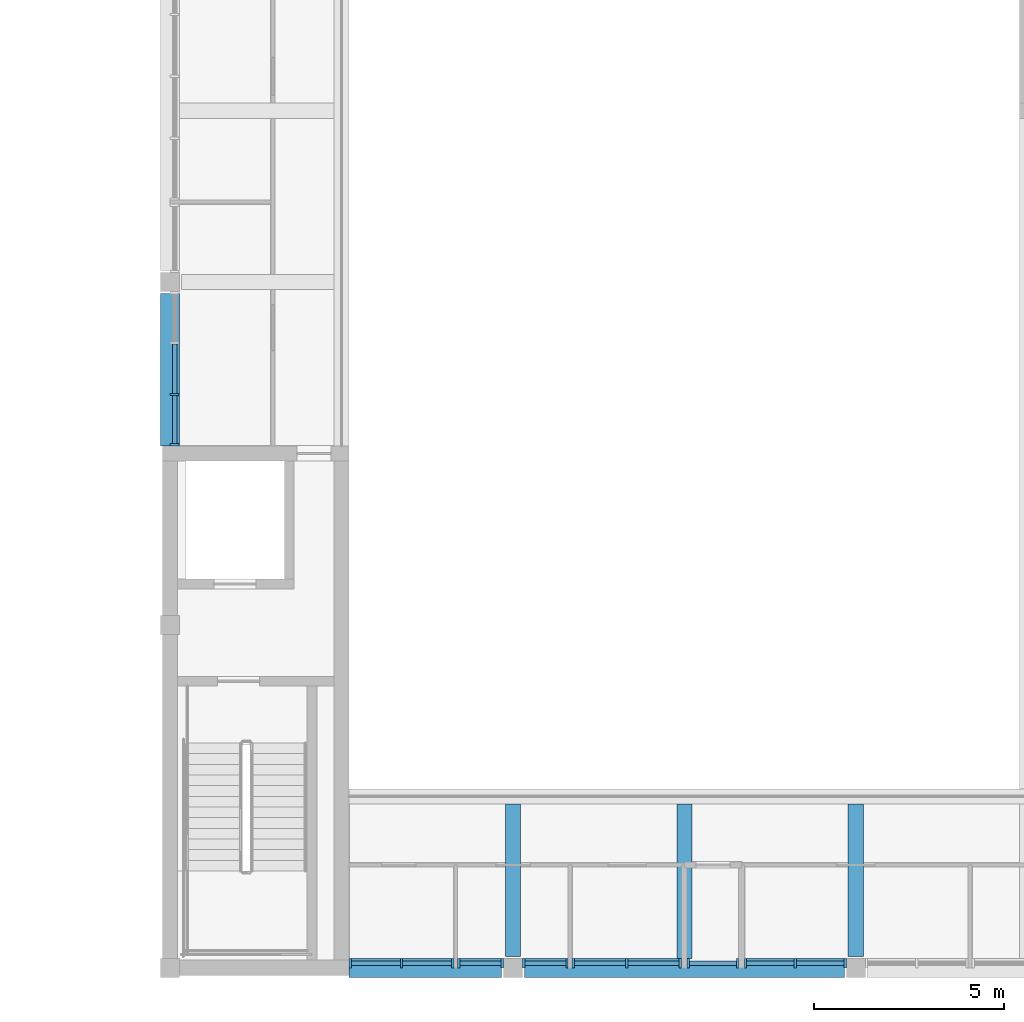
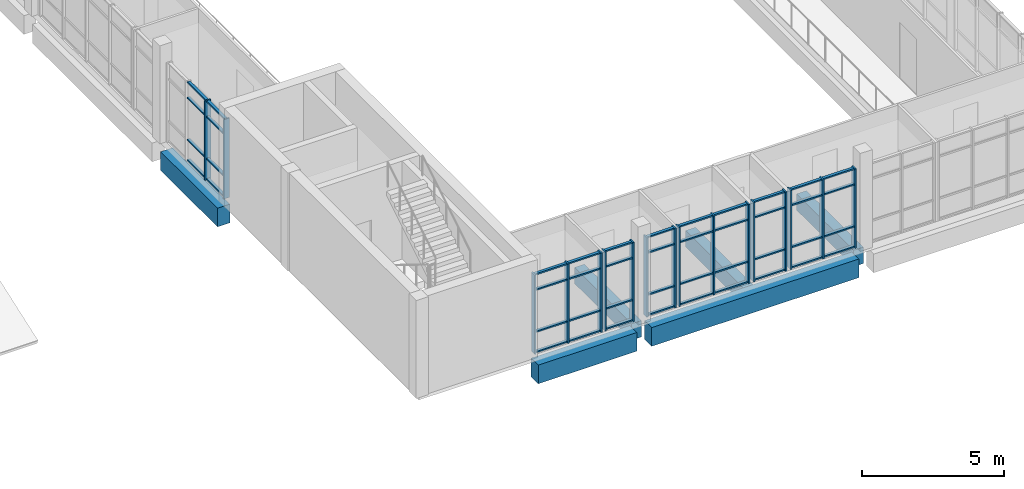
# One storey, part 6 of 74: 61 members, 6 beams, 7 elements without a shape of their own.
"""IFC4 building model written with IfcOpenShell, lengths in metres."""

from ifc_helpers import new_model, si_unit, direction, frame, origin, origin_2d, place, context, subcontext, project, spatial, rectangle, extrude, material, material_profile, profile_set, type_object, element, aggregate, save


model = new_model("IFC4")

# Units and contexts
model_context = context("Model", 3, precision=1e-05, world=origin(), true_north=direction((0.0, 1.0)))
body_context = subcontext(model_context, "Body", "Model", "MODEL_VIEW")
ifc_project = project(units=[si_unit("LENGTHUNIT", "METRE"), si_unit("AREAUNIT", "SQUARE_METRE"), si_unit("VOLUMEUNIT", "CUBIC_METRE"), si_unit("PLANEANGLEUNIT", "RADIAN"), si_unit("MASSUNIT", "GRAM", prefix="KILO")], contexts=[model_context])

# Site, building, storey
site_placement = place(None, origin())
site = spatial("IfcSite", under=ifc_project, at=site_placement, CompositionType="ELEMENT")
building_placement = place(site_placement, origin())
building = spatial("IfcBuilding", under=site, at=building_placement, Name="Merrow Basin Faculty of Sciences", CompositionType="ELEMENT")
storey_placement = place(building_placement, frame((0.0, 0.0, 13.5)))
storey = spatial("IfcBuildingStorey", under=building, at=storey_placement, Name="L03", CompositionType="ELEMENT", Elevation=13.5)

# Curtain wall, members
ifc_material_1 = material(Name="Aluminium alloy 6063", Category="aluminium")
curtain_wall_type = type_object("IfcCurtainWallType", Name="Atrium unitised curtain wall 240", PredefinedType="NOTDEFINED", material=ifc_material_1)
curtain_wall_1_placement = place(storey_placement, origin())
curtain_wall_1 = element("IfcCurtainWall", 1, at=curtain_wall_1_placement, inside=storey, type_object=curtain_wall_type, Name="W curtain wall L03 1", PredefinedType="NOTDEFINED")
ifc_material_2 = material(Name="Aluminium alloy 6063", Category="aluminium")
ifc_material_profile_1 = material_profile(ifc_material_2, rectangle(XDim=0.239990234375, YDim=0.06005859375, at=origin_2d()))
ifc_profile_set_1 = profile_set([ifc_material_profile_1], Name="Aluminium alloy 6063")
member_type_1 = type_object("IfcMemberType", Name="Aluminium mullion 60x240", PredefinedType="MULLION", material=ifc_profile_set_1)
member_1_placement = place(storey_placement, frame((45.1201171875, 13.72998046875, 0.0), z_axis=(0.0, 0.0, 1.0), x_axis=(-1.0, 0.0, 0.0)))
member_1 = element("IfcMember", 2, at=member_1_placement, type_object=member_type_1, Name="CW5 mullion 1", PredefinedType="MULLION", context=body_context, shape_type="SweptSolid", body=[
    extrude(rectangle(XDim=0.239990234375, YDim=0.06005859375, at=origin_2d()), origin(), (0.0, 0.0, 1.0), 3.39990234375),
])
member_2_placement = place(storey_placement, frame((45.1201171875, 15.050048828125, 0.0), z_axis=(0.0, 0.0, 1.0), x_axis=(-1.0, 0.0, 0.0)))
member_2 = element("IfcMember", 3, at=member_2_placement, type_object=member_type_1, Name="CW5 mullion 2", PredefinedType="MULLION", context=body_context, shape_type="SweptSolid", body=[
    extrude(rectangle(XDim=0.239990234375, YDim=0.06005859375, at=origin_2d()), origin(), (0.0, 0.0, 1.0), 3.39990234375),
])

curtain_wall_2_placement = place(storey_placement, origin())
curtain_wall_2 = element("IfcCurtainWall", 4, at=curtain_wall_2_placement, inside=storey, type_object=curtain_wall_type, Name="S curtain wall L03 1", PredefinedType="NOTDEFINED")
member_3_placement = place(storey_placement, frame((49.72998046875, 0.1201171875, 0.0), z_axis=(0.0, 0.0, 1.0), x_axis=(0.0, 1.0, 0.0)))
member_3 = element("IfcMember", 5, at=member_3_placement, type_object=member_type_1, Name="CW5 mullion 1", PredefinedType="MULLION", context=body_context, shape_type="SweptSolid", body=[
    extrude(rectangle(XDim=0.239990234375, YDim=0.06005859375, at=origin_2d()), origin(), (0.0, 0.0, 1.0), 3.39990234375),
])
member_4_placement = place(storey_placement, frame((51.074951171875, 0.1201171875, 0.0), z_axis=(0.0, 0.0, 1.0), x_axis=(0.0, 1.0, 0.0)))
member_4 = element("IfcMember", 6, at=member_4_placement, type_object=member_type_1, Name="CW5 mullion 2", PredefinedType="MULLION", context=body_context, shape_type="SweptSolid", body=[
    extrude(rectangle(XDim=0.239990234375, YDim=0.06005859375, at=origin_2d()), origin(), (0.0, 0.0, 1.0), 3.39990234375),
])
member_5_placement = place(storey_placement, frame((52.419921875, 0.1201171875, 0.0), z_axis=(0.0, 0.0, 1.0), x_axis=(0.0, 1.0, 0.0)))
member_5 = element("IfcMember", 7, at=member_5_placement, type_object=member_type_1, Name="CW5 mullion 3", PredefinedType="MULLION", context=body_context, shape_type="SweptSolid", body=[
    extrude(rectangle(XDim=0.239990234375, YDim=0.06005859375, at=origin_2d()), origin(), (0.0, 0.0, 1.0), 3.39990234375),
])

curtain_wall_3_placement = place(storey_placement, origin())
curtain_wall_3 = element("IfcCurtainWall", 8, at=curtain_wall_3_placement, inside=storey, type_object=curtain_wall_type, Name="S curtain wall L03 2", PredefinedType="NOTDEFINED")
member_6_placement = place(storey_placement, frame((52.580078125, 0.1201171875, 0.0), z_axis=(0.0, 0.0, 1.0), x_axis=(0.0, 1.0, 0.0)))
member_6 = element("IfcMember", 9, at=member_6_placement, type_object=member_type_1, Name="CW5 mullion 1", PredefinedType="MULLION", context=body_context, shape_type="SweptSolid", body=[
    extrude(rectangle(XDim=0.239990234375, YDim=0.06005859375, at=origin_2d()), origin(), (0.0, 0.0, 1.0), 3.39990234375),
])
member_7_placement = place(storey_placement, frame((53.719970703125, 0.1201171875, 0.0), z_axis=(0.0, 0.0, 1.0), x_axis=(0.0, 1.0, 0.0)))
member_7 = element("IfcMember", 10, at=member_7_placement, type_object=member_type_1, Name="CW5 mullion 2", PredefinedType="MULLION", context=body_context, shape_type="SweptSolid", body=[
    extrude(rectangle(XDim=0.239990234375, YDim=0.06005859375, at=origin_2d()), origin(), (0.0, 0.0, 1.0), 3.39990234375),
])

curtain_wall_4_placement = place(storey_placement, origin())
curtain_wall_4 = element("IfcCurtainWall", 11, at=curtain_wall_4_placement, inside=storey, type_object=curtain_wall_type, Name="S curtain wall L03 3", PredefinedType="NOTDEFINED")
member_8_placement = place(storey_placement, frame((54.280029296875, 0.1201171875, 0.0), z_axis=(0.0, 0.0, 1.0), x_axis=(0.0, 1.0, 0.0)))
member_8 = element("IfcMember", 12, at=member_8_placement, type_object=member_type_1, Name="CW5 mullion 1", PredefinedType="MULLION", context=body_context, shape_type="SweptSolid", body=[
    extrude(rectangle(XDim=0.239990234375, YDim=0.06005859375, at=origin_2d()), origin(), (0.0, 0.0, 1.0), 3.39990234375),
])
member_9_placement = place(storey_placement, frame((55.419921875, 0.1201171875, 0.0), z_axis=(0.0, 0.0, 1.0), x_axis=(0.0, 1.0, 0.0)))
member_9 = element("IfcMember", 13, at=member_9_placement, type_object=member_type_1, Name="CW5 mullion 2", PredefinedType="MULLION", context=body_context, shape_type="SweptSolid", body=[
    extrude(rectangle(XDim=0.239990234375, YDim=0.06005859375, at=origin_2d()), origin(), (0.0, 0.0, 1.0), 3.39990234375),
])

curtain_wall_5_placement = place(storey_placement, origin())
curtain_wall_5 = element("IfcCurtainWall", 14, at=curtain_wall_5_placement, inside=storey, type_object=curtain_wall_type, Name="S curtain wall L03 4", PredefinedType="NOTDEFINED")
member_10_placement = place(storey_placement, frame((55.580078125, 0.1201171875, 0.0), z_axis=(0.0, 0.0, 1.0), x_axis=(0.0, 1.0, 0.0)))
member_10 = element("IfcMember", 15, at=member_10_placement, type_object=member_type_1, Name="CW5 mullion 1", PredefinedType="MULLION", context=body_context, shape_type="SweptSolid", body=[
    extrude(rectangle(XDim=0.239990234375, YDim=0.06005859375, at=origin_2d()), origin(), (0.0, 0.0, 1.0), 3.39990234375),
])
member_11_placement = place(storey_placement, frame((56.987548828125, 0.1201171875, 0.0), z_axis=(0.0, 0.0, 1.0), x_axis=(0.0, 1.0, 0.0)))
member_11 = element("IfcMember", 16, at=member_11_placement, type_object=member_type_1, Name="CW5 mullion 2", PredefinedType="MULLION", context=body_context, shape_type="SweptSolid", body=[
    extrude(rectangle(XDim=0.239990234375, YDim=0.06005859375, at=origin_2d()), origin(), (0.0, 0.0, 1.0), 3.39990234375),
])
member_12_placement = place(storey_placement, frame((58.39501953125, 0.1201171875, 0.0), z_axis=(0.0, 0.0, 1.0), x_axis=(0.0, 1.0, 0.0)))
member_12 = element("IfcMember", 17, at=member_12_placement, type_object=member_type_1, Name="CW5 mullion 3", PredefinedType="MULLION", context=body_context, shape_type="SweptSolid", body=[
    extrude(rectangle(XDim=0.239990234375, YDim=0.06005859375, at=origin_2d()), origin(), (0.0, 0.0, 1.0), 3.39990234375),
])

curtain_wall_6_placement = place(storey_placement, origin())
curtain_wall_6 = element("IfcCurtainWall", 18, at=curtain_wall_6_placement, inside=storey, type_object=curtain_wall_type, Name="S curtain wall L03 5", PredefinedType="NOTDEFINED")
member_13_placement = place(storey_placement, frame((58.60498046875, 0.1201171875, 0.0), z_axis=(0.0, 0.0, 1.0), x_axis=(0.0, 1.0, 0.0)))
member_13 = element("IfcMember", 19, at=member_13_placement, type_object=member_type_1, Name="CW5 mullion 1", PredefinedType="MULLION", context=body_context, shape_type="SweptSolid", body=[
    extrude(rectangle(XDim=0.239990234375, YDim=0.06005859375, at=origin_2d()), origin(), (0.0, 0.0, 1.0), 3.39990234375),
])
member_14_placement = place(storey_placement, frame((59.89501953125, 0.1201171875, 0.0), z_axis=(0.0, 0.0, 1.0), x_axis=(0.0, 1.0, 0.0)))
member_14 = element("IfcMember", 20, at=member_14_placement, type_object=member_type_1, Name="CW5 mullion 2", PredefinedType="MULLION", context=body_context, shape_type="SweptSolid", body=[
    extrude(rectangle(XDim=0.239990234375, YDim=0.06005859375, at=origin_2d()), origin(), (0.0, 0.0, 1.0), 3.39990234375),
])

curtain_wall_7_placement = place(storey_placement, origin())
curtain_wall_7 = element("IfcCurtainWall", 21, at=curtain_wall_7_placement, inside=storey, type_object=curtain_wall_type, Name="S curtain wall L03 6", PredefinedType="NOTDEFINED")
member_15_placement = place(storey_placement, frame((60.10498046875, 0.1201171875, 0.0), z_axis=(0.0, 0.0, 1.0), x_axis=(0.0, 1.0, 0.0)))
member_15 = element("IfcMember", 22, at=member_15_placement, type_object=member_type_1, Name="CW5 mullion 1", PredefinedType="MULLION", context=body_context, shape_type="SweptSolid", body=[
    extrude(rectangle(XDim=0.239990234375, YDim=0.06005859375, at=origin_2d()), origin(), (0.0, 0.0, 1.0), 3.39990234375),
])
member_16_placement = place(storey_placement, frame((61.41259765625, 0.1201171875, 0.0), z_axis=(0.0, 0.0, 1.0), x_axis=(0.0, 1.0, 0.0)))
member_16 = element("IfcMember", 23, at=member_16_placement, type_object=member_type_1, Name="CW5 mullion 2", PredefinedType="MULLION", context=body_context, shape_type="SweptSolid", body=[
    extrude(rectangle(XDim=0.239990234375, YDim=0.06005859375, at=origin_2d()), origin(), (0.0, 0.0, 1.0), 3.39990234375),
])
member_17_placement = place(storey_placement, frame((62.719970703125, 0.1201171875, 0.0), z_axis=(0.0, 0.0, 1.0), x_axis=(0.0, 1.0, 0.0)))
member_17 = element("IfcMember", 24, at=member_17_placement, type_object=member_type_1, Name="CW5 mullion 3", PredefinedType="MULLION", context=body_context, shape_type="SweptSolid", body=[
    extrude(rectangle(XDim=0.239990234375, YDim=0.06005859375, at=origin_2d()), origin(), (0.0, 0.0, 1.0), 3.39990234375),
])

# Member
ifc_material_3 = material(Name="Aluminium alloy 6063", Category="aluminium")
ifc_material_profile_2 = material_profile(ifc_material_3, rectangle(XDim=0.1201171875, YDim=0.06005859375, at=origin_2d()))
ifc_profile_set_2 = profile_set([ifc_material_profile_2], Name="Aluminium alloy 6063")
member_type_2 = type_object("IfcMemberType", Name="Aluminium transom 60x120", PredefinedType="USERDEFINED", material=ifc_profile_set_2)
member_18_placement = place(storey_placement, frame((45.1201171875, 13.760009765625, 0.030029296875), z_axis=(0.0, 1.0, 0.0), x_axis=(-1.0, 0.0, 0.0)))
member_18 = element("IfcMember", 25, at=member_18_placement, type_object=member_type_2, Name="CW5 transom 1.1", ObjectType="TRANSOM", PredefinedType="USERDEFINED", context=body_context, shape_type="SweptSolid", body=[
    extrude(rectangle(XDim=0.1201171875, YDim=0.06005859375, at=origin_2d()), origin(), (0.0, 0.0, 1.0), 1.260009765625),
])

member_19_placement = place(storey_placement, frame((45.1201171875, 13.760009765625, 0.89990234375), z_axis=(0.0, 1.0, 0.0), x_axis=(-1.0, 0.0, 0.0)))
member_19 = element("IfcMember", 26, at=member_19_placement, type_object=member_type_2, Name="CW5 transom 1.2", ObjectType="TRANSOM", PredefinedType="USERDEFINED", context=body_context, shape_type="SweptSolid", body=[
    extrude(rectangle(XDim=0.1201171875, YDim=0.06005859375, at=origin_2d()), origin(), (0.0, 0.0, 1.0), 1.260009765625),
])

member_20_placement = place(storey_placement, frame((45.1201171875, 13.760009765625, 2.699951171875), z_axis=(0.0, 1.0, 0.0), x_axis=(-1.0, 0.0, 0.0)))
member_20 = element("IfcMember", 27, at=member_20_placement, type_object=member_type_2, Name="CW5 transom 1.3", ObjectType="TRANSOM", PredefinedType="USERDEFINED", context=body_context, shape_type="SweptSolid", body=[
    extrude(rectangle(XDim=0.1201171875, YDim=0.06005859375, at=origin_2d()), origin(), (0.0, 0.0, 1.0), 1.260009765625),
])

member_21_placement = place(storey_placement, frame((45.1201171875, 13.760009765625, 3.3701171875), z_axis=(0.0, 1.0, 0.0), x_axis=(-1.0, 0.0, 0.0)))
member_21 = element("IfcMember", 28, at=member_21_placement, type_object=member_type_2, Name="CW5 transom 1.4", ObjectType="TRANSOM", PredefinedType="USERDEFINED", context=body_context, shape_type="SweptSolid", body=[
    extrude(rectangle(XDim=0.1201171875, YDim=0.06005859375, at=origin_2d()), origin(), (0.0, 0.0, 1.0), 1.260009765625),
])

member_22_placement = place(storey_placement, frame((45.1201171875, 15.080078125, 0.030029296875), z_axis=(0.0, 1.0, 0.0), x_axis=(-1.0, 0.0, 0.0)))
member_22 = element("IfcMember", 29, at=member_22_placement, type_object=member_type_2, Name="CW5 transom 2.1", ObjectType="TRANSOM", PredefinedType="USERDEFINED", context=body_context, shape_type="SweptSolid", body=[
    extrude(rectangle(XDim=0.1201171875, YDim=0.06005859375, at=origin_2d()), origin(), (0.0, 0.0, 1.0), 1.2900390625),
])

member_23_placement = place(storey_placement, frame((45.1201171875, 15.080078125, 0.89990234375), z_axis=(0.0, 1.0, 0.0), x_axis=(-1.0, 0.0, 0.0)))
member_23 = element("IfcMember", 30, at=member_23_placement, type_object=member_type_2, Name="CW5 transom 2.2", ObjectType="TRANSOM", PredefinedType="USERDEFINED", context=body_context, shape_type="SweptSolid", body=[
    extrude(rectangle(XDim=0.1201171875, YDim=0.06005859375, at=origin_2d()), origin(), (0.0, 0.0, 1.0), 1.2900390625),
])

member_24_placement = place(storey_placement, frame((45.1201171875, 15.080078125, 2.699951171875), z_axis=(0.0, 1.0, 0.0), x_axis=(-1.0, 0.0, 0.0)))
member_24 = element("IfcMember", 31, at=member_24_placement, type_object=member_type_2, Name="CW5 transom 2.3", ObjectType="TRANSOM", PredefinedType="USERDEFINED", context=body_context, shape_type="SweptSolid", body=[
    extrude(rectangle(XDim=0.1201171875, YDim=0.06005859375, at=origin_2d()), origin(), (0.0, 0.0, 1.0), 1.2900390625),
])

member_25_placement = place(storey_placement, frame((45.1201171875, 15.080078125, 3.3701171875), z_axis=(0.0, 1.0, 0.0), x_axis=(-1.0, 0.0, 0.0)))
member_25 = element("IfcMember", 32, at=member_25_placement, type_object=member_type_2, Name="CW5 transom 2.4", ObjectType="TRANSOM", PredefinedType="USERDEFINED", context=body_context, shape_type="SweptSolid", body=[
    extrude(rectangle(XDim=0.1201171875, YDim=0.06005859375, at=origin_2d()), origin(), (0.0, 0.0, 1.0), 1.2900390625),
])

aggregate(curtain_wall_1, [member_1, member_2, member_18, member_19, member_20, member_21, member_22, member_23, member_24, member_25])

member_26_placement = place(storey_placement, frame((49.760009765625, 0.1201171875, 0.030029296875), z_axis=(1.0, 0.0, 0.0), x_axis=(0.0, 1.0, 0.0)))
member_26 = element("IfcMember", 33, at=member_26_placement, type_object=member_type_2, Name="CW5 transom 1.1", ObjectType="TRANSOM", PredefinedType="USERDEFINED", context=body_context, shape_type="SweptSolid", body=[
    extrude(rectangle(XDim=0.1201171875, YDim=0.06005859375, at=origin_2d()), origin(), (0.0, 0.0, 1.0), 1.284912109375),
])

member_27_placement = place(storey_placement, frame((49.760009765625, 0.1201171875, 0.89990234375), z_axis=(1.0, 0.0, 0.0), x_axis=(0.0, 1.0, 0.0)))
member_27 = element("IfcMember", 34, at=member_27_placement, type_object=member_type_2, Name="CW5 transom 1.2", ObjectType="TRANSOM", PredefinedType="USERDEFINED", context=body_context, shape_type="SweptSolid", body=[
    extrude(rectangle(XDim=0.1201171875, YDim=0.06005859375, at=origin_2d()), origin(), (0.0, 0.0, 1.0), 1.284912109375),
])

member_28_placement = place(storey_placement, frame((49.760009765625, 0.1201171875, 2.699951171875), z_axis=(1.0, 0.0, 0.0), x_axis=(0.0, 1.0, 0.0)))
member_28 = element("IfcMember", 35, at=member_28_placement, type_object=member_type_2, Name="CW5 transom 1.3", ObjectType="TRANSOM", PredefinedType="USERDEFINED", context=body_context, shape_type="SweptSolid", body=[
    extrude(rectangle(XDim=0.1201171875, YDim=0.06005859375, at=origin_2d()), origin(), (0.0, 0.0, 1.0), 1.284912109375),
])

member_29_placement = place(storey_placement, frame((49.760009765625, 0.1201171875, 3.3701171875), z_axis=(1.0, 0.0, 0.0), x_axis=(0.0, 1.0, 0.0)))
member_29 = element("IfcMember", 36, at=member_29_placement, type_object=member_type_2, Name="CW5 transom 1.4", ObjectType="TRANSOM", PredefinedType="USERDEFINED", context=body_context, shape_type="SweptSolid", body=[
    extrude(rectangle(XDim=0.1201171875, YDim=0.06005859375, at=origin_2d()), origin(), (0.0, 0.0, 1.0), 1.284912109375),
])

member_30_placement = place(storey_placement, frame((51.10498046875, 0.1201171875, 0.030029296875), z_axis=(1.0, 0.0, 0.0), x_axis=(0.0, 1.0, 0.0)))
member_30 = element("IfcMember", 37, at=member_30_placement, type_object=member_type_2, Name="CW5 transom 2.1", ObjectType="TRANSOM", PredefinedType="USERDEFINED", context=body_context, shape_type="SweptSolid", body=[
    extrude(rectangle(XDim=0.1201171875, YDim=0.06005859375, at=origin_2d()), origin(), (0.0, 0.0, 1.0), 1.284912109375),
])

member_31_placement = place(storey_placement, frame((51.10498046875, 0.1201171875, 0.89990234375), z_axis=(1.0, 0.0, 0.0), x_axis=(0.0, 1.0, 0.0)))
member_31 = element("IfcMember", 38, at=member_31_placement, type_object=member_type_2, Name="CW5 transom 2.2", ObjectType="TRANSOM", PredefinedType="USERDEFINED", context=body_context, shape_type="SweptSolid", body=[
    extrude(rectangle(XDim=0.1201171875, YDim=0.06005859375, at=origin_2d()), origin(), (0.0, 0.0, 1.0), 1.284912109375),
])

member_32_placement = place(storey_placement, frame((51.10498046875, 0.1201171875, 2.699951171875), z_axis=(1.0, 0.0, 0.0), x_axis=(0.0, 1.0, 0.0)))
member_32 = element("IfcMember", 39, at=member_32_placement, type_object=member_type_2, Name="CW5 transom 2.3", ObjectType="TRANSOM", PredefinedType="USERDEFINED", context=body_context, shape_type="SweptSolid", body=[
    extrude(rectangle(XDim=0.1201171875, YDim=0.06005859375, at=origin_2d()), origin(), (0.0, 0.0, 1.0), 1.284912109375),
])

member_33_placement = place(storey_placement, frame((51.10498046875, 0.1201171875, 3.3701171875), z_axis=(1.0, 0.0, 0.0), x_axis=(0.0, 1.0, 0.0)))
member_33 = element("IfcMember", 40, at=member_33_placement, type_object=member_type_2, Name="CW5 transom 2.4", ObjectType="TRANSOM", PredefinedType="USERDEFINED", context=body_context, shape_type="SweptSolid", body=[
    extrude(rectangle(XDim=0.1201171875, YDim=0.06005859375, at=origin_2d()), origin(), (0.0, 0.0, 1.0), 1.284912109375),
])

aggregate(curtain_wall_2, [member_3, member_4, member_5, member_26, member_27, member_28, member_29, member_30, member_31, member_32, member_33])

member_34_placement = place(storey_placement, frame((52.610107421875, 0.1201171875, 0.030029296875), z_axis=(1.0, 0.0, 0.0), x_axis=(0.0, 1.0, 0.0)))
member_34 = element("IfcMember", 41, at=member_34_placement, type_object=member_type_2, Name="CW5 transom 1.1", ObjectType="TRANSOM", PredefinedType="USERDEFINED", context=body_context, shape_type="SweptSolid", body=[
    extrude(rectangle(XDim=0.1201171875, YDim=0.06005859375, at=origin_2d()), origin(), (0.0, 0.0, 1.0), 1.079833984375),
])

member_35_placement = place(storey_placement, frame((52.610107421875, 0.1201171875, 0.89990234375), z_axis=(1.0, 0.0, 0.0), x_axis=(0.0, 1.0, 0.0)))
member_35 = element("IfcMember", 42, at=member_35_placement, type_object=member_type_2, Name="CW5 transom 1.2", ObjectType="TRANSOM", PredefinedType="USERDEFINED", context=body_context, shape_type="SweptSolid", body=[
    extrude(rectangle(XDim=0.1201171875, YDim=0.06005859375, at=origin_2d()), origin(), (0.0, 0.0, 1.0), 1.079833984375),
])

member_36_placement = place(storey_placement, frame((52.610107421875, 0.1201171875, 2.699951171875), z_axis=(1.0, 0.0, 0.0), x_axis=(0.0, 1.0, 0.0)))
member_36 = element("IfcMember", 43, at=member_36_placement, type_object=member_type_2, Name="CW5 transom 1.3", ObjectType="TRANSOM", PredefinedType="USERDEFINED", context=body_context, shape_type="SweptSolid", body=[
    extrude(rectangle(XDim=0.1201171875, YDim=0.06005859375, at=origin_2d()), origin(), (0.0, 0.0, 1.0), 1.079833984375),
])

member_37_placement = place(storey_placement, frame((52.610107421875, 0.1201171875, 3.3701171875), z_axis=(1.0, 0.0, 0.0), x_axis=(0.0, 1.0, 0.0)))
member_37 = element("IfcMember", 44, at=member_37_placement, type_object=member_type_2, Name="CW5 transom 1.4", ObjectType="TRANSOM", PredefinedType="USERDEFINED", context=body_context, shape_type="SweptSolid", body=[
    extrude(rectangle(XDim=0.1201171875, YDim=0.06005859375, at=origin_2d()), origin(), (0.0, 0.0, 1.0), 1.079833984375),
])

aggregate(curtain_wall_3, [member_6, member_7, member_34, member_35, member_36, member_37])

member_38_placement = place(storey_placement, frame((54.31005859375, 0.1201171875, 0.030029296875), z_axis=(1.0, 0.0, 0.0), x_axis=(0.0, 1.0, 0.0)))
member_38 = element("IfcMember", 45, at=member_38_placement, type_object=member_type_2, Name="CW5 transom 1.1", ObjectType="TRANSOM", PredefinedType="USERDEFINED", context=body_context, shape_type="SweptSolid", body=[
    extrude(rectangle(XDim=0.1201171875, YDim=0.06005859375, at=origin_2d()), origin(), (0.0, 0.0, 1.0), 1.079833984375),
])

member_39_placement = place(storey_placement, frame((54.31005859375, 0.1201171875, 0.89990234375), z_axis=(1.0, 0.0, 0.0), x_axis=(0.0, 1.0, 0.0)))
member_39 = element("IfcMember", 46, at=member_39_placement, type_object=member_type_2, Name="CW5 transom 1.2", ObjectType="TRANSOM", PredefinedType="USERDEFINED", context=body_context, shape_type="SweptSolid", body=[
    extrude(rectangle(XDim=0.1201171875, YDim=0.06005859375, at=origin_2d()), origin(), (0.0, 0.0, 1.0), 1.079833984375),
])

member_40_placement = place(storey_placement, frame((54.31005859375, 0.1201171875, 2.699951171875), z_axis=(1.0, 0.0, 0.0), x_axis=(0.0, 1.0, 0.0)))
member_40 = element("IfcMember", 47, at=member_40_placement, type_object=member_type_2, Name="CW5 transom 1.3", ObjectType="TRANSOM", PredefinedType="USERDEFINED", context=body_context, shape_type="SweptSolid", body=[
    extrude(rectangle(XDim=0.1201171875, YDim=0.06005859375, at=origin_2d()), origin(), (0.0, 0.0, 1.0), 1.079833984375),
])

member_41_placement = place(storey_placement, frame((54.31005859375, 0.1201171875, 3.3701171875), z_axis=(1.0, 0.0, 0.0), x_axis=(0.0, 1.0, 0.0)))
member_41 = element("IfcMember", 48, at=member_41_placement, type_object=member_type_2, Name="CW5 transom 1.4", ObjectType="TRANSOM", PredefinedType="USERDEFINED", context=body_context, shape_type="SweptSolid", body=[
    extrude(rectangle(XDim=0.1201171875, YDim=0.06005859375, at=origin_2d()), origin(), (0.0, 0.0, 1.0), 1.079833984375),
])

aggregate(curtain_wall_4, [member_8, member_9, member_38, member_39, member_40, member_41])

member_42_placement = place(storey_placement, frame((55.610107421875, 0.1201171875, 0.030029296875), z_axis=(1.0, 0.0, 0.0), x_axis=(0.0, 1.0, 0.0)))
member_42 = element("IfcMember", 49, at=member_42_placement, type_object=member_type_2, Name="CW5 transom 1.1", ObjectType="TRANSOM", PredefinedType="USERDEFINED", context=body_context, shape_type="SweptSolid", body=[
    extrude(rectangle(XDim=0.1201171875, YDim=0.06005859375, at=origin_2d()), origin(), (0.0, 0.0, 1.0), 1.347412109375),
])

member_43_placement = place(storey_placement, frame((55.610107421875, 0.1201171875, 0.89990234375), z_axis=(1.0, 0.0, 0.0), x_axis=(0.0, 1.0, 0.0)))
member_43 = element("IfcMember", 50, at=member_43_placement, type_object=member_type_2, Name="CW5 transom 1.2", ObjectType="TRANSOM", PredefinedType="USERDEFINED", context=body_context, shape_type="SweptSolid", body=[
    extrude(rectangle(XDim=0.1201171875, YDim=0.06005859375, at=origin_2d()), origin(), (0.0, 0.0, 1.0), 1.347412109375),
])

member_44_placement = place(storey_placement, frame((55.610107421875, 0.1201171875, 2.699951171875), z_axis=(1.0, 0.0, 0.0), x_axis=(0.0, 1.0, 0.0)))
member_44 = element("IfcMember", 51, at=member_44_placement, type_object=member_type_2, Name="CW5 transom 1.3", ObjectType="TRANSOM", PredefinedType="USERDEFINED", context=body_context, shape_type="SweptSolid", body=[
    extrude(rectangle(XDim=0.1201171875, YDim=0.06005859375, at=origin_2d()), origin(), (0.0, 0.0, 1.0), 1.347412109375),
])

member_45_placement = place(storey_placement, frame((55.610107421875, 0.1201171875, 3.3701171875), z_axis=(1.0, 0.0, 0.0), x_axis=(0.0, 1.0, 0.0)))
member_45 = element("IfcMember", 52, at=member_45_placement, type_object=member_type_2, Name="CW5 transom 1.4", ObjectType="TRANSOM", PredefinedType="USERDEFINED", context=body_context, shape_type="SweptSolid", body=[
    extrude(rectangle(XDim=0.1201171875, YDim=0.06005859375, at=origin_2d()), origin(), (0.0, 0.0, 1.0), 1.347412109375),
])

member_46_placement = place(storey_placement, frame((57.017578125, 0.1201171875, 0.030029296875), z_axis=(1.0, 0.0, 0.0), x_axis=(0.0, 1.0, 0.0)))
member_46 = element("IfcMember", 53, at=member_46_placement, type_object=member_type_2, Name="CW5 transom 2.1", ObjectType="TRANSOM", PredefinedType="USERDEFINED", context=body_context, shape_type="SweptSolid", body=[
    extrude(rectangle(XDim=0.1201171875, YDim=0.06005859375, at=origin_2d()), origin(), (0.0, 0.0, 1.0), 1.347412109375),
])

member_47_placement = place(storey_placement, frame((57.017578125, 0.1201171875, 0.89990234375), z_axis=(1.0, 0.0, 0.0), x_axis=(0.0, 1.0, 0.0)))
member_47 = element("IfcMember", 54, at=member_47_placement, type_object=member_type_2, Name="CW5 transom 2.2", ObjectType="TRANSOM", PredefinedType="USERDEFINED", context=body_context, shape_type="SweptSolid", body=[
    extrude(rectangle(XDim=0.1201171875, YDim=0.06005859375, at=origin_2d()), origin(), (0.0, 0.0, 1.0), 1.347412109375),
])

member_48_placement = place(storey_placement, frame((57.017578125, 0.1201171875, 2.699951171875), z_axis=(1.0, 0.0, 0.0), x_axis=(0.0, 1.0, 0.0)))
member_48 = element("IfcMember", 55, at=member_48_placement, type_object=member_type_2, Name="CW5 transom 2.3", ObjectType="TRANSOM", PredefinedType="USERDEFINED", context=body_context, shape_type="SweptSolid", body=[
    extrude(rectangle(XDim=0.1201171875, YDim=0.06005859375, at=origin_2d()), origin(), (0.0, 0.0, 1.0), 1.347412109375),
])

member_49_placement = place(storey_placement, frame((57.017578125, 0.1201171875, 3.3701171875), z_axis=(1.0, 0.0, 0.0), x_axis=(0.0, 1.0, 0.0)))
member_49 = element("IfcMember", 56, at=member_49_placement, type_object=member_type_2, Name="CW5 transom 2.4", ObjectType="TRANSOM", PredefinedType="USERDEFINED", context=body_context, shape_type="SweptSolid", body=[
    extrude(rectangle(XDim=0.1201171875, YDim=0.06005859375, at=origin_2d()), origin(), (0.0, 0.0, 1.0), 1.347412109375),
])

aggregate(curtain_wall_5, [member_10, member_11, member_12, member_42, member_43, member_44, member_45, member_46, member_47, member_48, member_49])

member_50_placement = place(storey_placement, frame((58.635009765625, 0.1201171875, 0.030029296875), z_axis=(1.0, 0.0, 0.0), x_axis=(0.0, 1.0, 0.0)))
member_50 = element("IfcMember", 57, at=member_50_placement, type_object=member_type_2, Name="CW5 transom 1.1", ObjectType="TRANSOM", PredefinedType="USERDEFINED", context=body_context, shape_type="SweptSolid", body=[
    extrude(rectangle(XDim=0.1201171875, YDim=0.06005859375, at=origin_2d()), origin(), (0.0, 0.0, 1.0), 1.22998046875),
])

member_51_placement = place(storey_placement, frame((58.635009765625, 0.1201171875, 0.89990234375), z_axis=(1.0, 0.0, 0.0), x_axis=(0.0, 1.0, 0.0)))
member_51 = element("IfcMember", 58, at=member_51_placement, type_object=member_type_2, Name="CW5 transom 1.2", ObjectType="TRANSOM", PredefinedType="USERDEFINED", context=body_context, shape_type="SweptSolid", body=[
    extrude(rectangle(XDim=0.1201171875, YDim=0.06005859375, at=origin_2d()), origin(), (0.0, 0.0, 1.0), 1.22998046875),
])

member_52_placement = place(storey_placement, frame((58.635009765625, 0.1201171875, 2.699951171875), z_axis=(1.0, 0.0, 0.0), x_axis=(0.0, 1.0, 0.0)))
member_52 = element("IfcMember", 59, at=member_52_placement, type_object=member_type_2, Name="CW5 transom 1.3", ObjectType="TRANSOM", PredefinedType="USERDEFINED", context=body_context, shape_type="SweptSolid", body=[
    extrude(rectangle(XDim=0.1201171875, YDim=0.06005859375, at=origin_2d()), origin(), (0.0, 0.0, 1.0), 1.22998046875),
])

member_53_placement = place(storey_placement, frame((58.635009765625, 0.1201171875, 3.3701171875), z_axis=(1.0, 0.0, 0.0), x_axis=(0.0, 1.0, 0.0)))
member_53 = element("IfcMember", 60, at=member_53_placement, type_object=member_type_2, Name="CW5 transom 1.4", ObjectType="TRANSOM", PredefinedType="USERDEFINED", context=body_context, shape_type="SweptSolid", body=[
    extrude(rectangle(XDim=0.1201171875, YDim=0.06005859375, at=origin_2d()), origin(), (0.0, 0.0, 1.0), 1.22998046875),
])

aggregate(curtain_wall_6, [member_13, member_14, member_50, member_51, member_52, member_53])

member_54_placement = place(storey_placement, frame((60.135009765625, 0.1201171875, 0.030029296875), z_axis=(1.0, 0.0, 0.0), x_axis=(0.0, 1.0, 0.0)))
member_54 = element("IfcMember", 61, at=member_54_placement, type_object=member_type_2, Name="CW5 transom 1.1", ObjectType="TRANSOM", PredefinedType="USERDEFINED", context=body_context, shape_type="SweptSolid", body=[
    extrude(rectangle(XDim=0.1201171875, YDim=0.06005859375, at=origin_2d()), origin(), (0.0, 0.0, 1.0), 1.24755859375),
])

member_55_placement = place(storey_placement, frame((60.135009765625, 0.1201171875, 0.89990234375), z_axis=(1.0, 0.0, 0.0), x_axis=(0.0, 1.0, 0.0)))
member_55 = element("IfcMember", 62, at=member_55_placement, type_object=member_type_2, Name="CW5 transom 1.2", ObjectType="TRANSOM", PredefinedType="USERDEFINED", context=body_context, shape_type="SweptSolid", body=[
    extrude(rectangle(XDim=0.1201171875, YDim=0.06005859375, at=origin_2d()), origin(), (0.0, 0.0, 1.0), 1.24755859375),
])

member_56_placement = place(storey_placement, frame((60.135009765625, 0.1201171875, 2.699951171875), z_axis=(1.0, 0.0, 0.0), x_axis=(0.0, 1.0, 0.0)))
member_56 = element("IfcMember", 63, at=member_56_placement, type_object=member_type_2, Name="CW5 transom 1.3", ObjectType="TRANSOM", PredefinedType="USERDEFINED", context=body_context, shape_type="SweptSolid", body=[
    extrude(rectangle(XDim=0.1201171875, YDim=0.06005859375, at=origin_2d()), origin(), (0.0, 0.0, 1.0), 1.24755859375),
])

member_57_placement = place(storey_placement, frame((60.135009765625, 0.1201171875, 3.3701171875), z_axis=(1.0, 0.0, 0.0), x_axis=(0.0, 1.0, 0.0)))
member_57 = element("IfcMember", 64, at=member_57_placement, type_object=member_type_2, Name="CW5 transom 1.4", ObjectType="TRANSOM", PredefinedType="USERDEFINED", context=body_context, shape_type="SweptSolid", body=[
    extrude(rectangle(XDim=0.1201171875, YDim=0.06005859375, at=origin_2d()), origin(), (0.0, 0.0, 1.0), 1.24755859375),
])

member_58_placement = place(storey_placement, frame((61.4423828125, 0.1201171875, 0.030029296875), z_axis=(1.0, 0.0, 0.0), x_axis=(0.0, 1.0, 0.0)))
member_58 = element("IfcMember", 65, at=member_58_placement, type_object=member_type_2, Name="CW5 transom 2.1", ObjectType="TRANSOM", PredefinedType="USERDEFINED", context=body_context, shape_type="SweptSolid", body=[
    extrude(rectangle(XDim=0.1201171875, YDim=0.06005859375, at=origin_2d()), origin(), (0.0, 0.0, 1.0), 1.24755859375),
])

member_59_placement = place(storey_placement, frame((61.4423828125, 0.1201171875, 0.89990234375), z_axis=(1.0, 0.0, 0.0), x_axis=(0.0, 1.0, 0.0)))
member_59 = element("IfcMember", 66, at=member_59_placement, type_object=member_type_2, Name="CW5 transom 2.2", ObjectType="TRANSOM", PredefinedType="USERDEFINED", context=body_context, shape_type="SweptSolid", body=[
    extrude(rectangle(XDim=0.1201171875, YDim=0.06005859375, at=origin_2d()), origin(), (0.0, 0.0, 1.0), 1.24755859375),
])

member_60_placement = place(storey_placement, frame((61.4423828125, 0.1201171875, 2.699951171875), z_axis=(1.0, 0.0, 0.0), x_axis=(0.0, 1.0, 0.0)))
member_60 = element("IfcMember", 67, at=member_60_placement, type_object=member_type_2, Name="CW5 transom 2.3", ObjectType="TRANSOM", PredefinedType="USERDEFINED", context=body_context, shape_type="SweptSolid", body=[
    extrude(rectangle(XDim=0.1201171875, YDim=0.06005859375, at=origin_2d()), origin(), (0.0, 0.0, 1.0), 1.24755859375),
])

member_61_placement = place(storey_placement, frame((61.4423828125, 0.1201171875, 3.3701171875), z_axis=(1.0, 0.0, 0.0), x_axis=(0.0, 1.0, 0.0)))
member_61 = element("IfcMember", 68, at=member_61_placement, type_object=member_type_2, Name="CW5 transom 2.4", ObjectType="TRANSOM", PredefinedType="USERDEFINED", context=body_context, shape_type="SweptSolid", body=[
    extrude(rectangle(XDim=0.1201171875, YDim=0.06005859375, at=origin_2d()), origin(), (0.0, 0.0, 1.0), 1.24755859375),
])

aggregate(curtain_wall_7, [member_15, member_16, member_17, member_54, member_55, member_56, member_57, member_58, member_59, member_60, member_61])

# Beams
ifc_material_4 = material(Name="Concrete C40/50", Category="concrete")
ifc_material_profile_3 = material_profile(ifc_material_4, rectangle(XDim=0.5, YDim=0.800048828125, at=origin_2d()))
ifc_profile_set_3 = profile_set([ifc_material_profile_3], Name="Concrete C40/50")
beam_type_1 = type_object("IfcBeamType", Name="Beam RC500x800 C40/50", PredefinedType="BEAM", material=ifc_profile_set_3)
beam_1_placement = place(storey_placement, frame((49.699951171875, 0.0, -0.699951171875), z_axis=(1.0, 0.0, 0.0), x_axis=(0.0, 1.0, 0.0)))
element("IfcBeam", 69, at=beam_1_placement, inside=storey, type_object=beam_type_1, Name="B4 L03 001", PredefinedType="BEAM", context=body_context, shape_type="SweptSolid", body=[
    extrude(rectangle(XDim=0.5, YDim=0.800048828125, at=origin_2d()), origin(), (0.0, 0.0, 1.0), 4.0),
])
beam_2_placement = place(storey_placement, frame((54.300048828125, 0.0, -0.699951171875), z_axis=(1.0, 0.0, 0.0), x_axis=(0.0, 1.0, 0.0)))
element("IfcBeam", 70, at=beam_2_placement, inside=storey, type_object=beam_type_1, Name="B4 L03 002", PredefinedType="BEAM", context=body_context, shape_type="SweptSolid", body=[
    extrude(rectangle(XDim=0.5, YDim=0.800048828125, at=origin_2d()), origin(), (0.0, 0.0, 1.0), 8.39990234375),
])
beam_3_placement = place(storey_placement, frame((45.0, 13.699951171875, -0.699951171875), z_axis=(0.0, 1.0, 0.0), x_axis=(-1.0, 0.0, 0.0)))
element("IfcBeam", 71, at=beam_3_placement, inside=storey, type_object=beam_type_1, Name="B4 L03 007", PredefinedType="BEAM", context=body_context, shape_type="SweptSolid", body=[
    extrude(rectangle(XDim=0.5, YDim=0.800048828125, at=origin_2d()), origin(), (0.0, 0.0, 1.0), 4.0),
])
ifc_material_5 = material(Name="Concrete C40/50", Category="concrete")
ifc_material_profile_4 = material_profile(ifc_material_5, rectangle(XDim=0.39990234375, YDim=0.699951171875, at=origin_2d()))
ifc_profile_set_4 = profile_set([ifc_material_profile_4], Name="Concrete C40/50")
beam_type_2 = type_object("IfcBeamType", Name="Gallery edge beam RC400x700 C40/50", PredefinedType="BEAM", material=ifc_profile_set_4)
beam_4_placement = place(storey_placement, frame((54.0, 0.300048828125, -0.64990234375), z_axis=(0.0, 1.0, 0.0), x_axis=(-1.0, 0.0, 0.0)))
element("IfcBeam", 72, at=beam_4_placement, inside=storey, type_object=beam_type_2, Name="GB1 L03 019", PredefinedType="BEAM", context=body_context, shape_type="SweptSolid", body=[
    extrude(rectangle(XDim=0.39990234375, YDim=0.699951171875, at=origin_2d()), origin(), (0.0, 0.0, 1.0), 4.0),
])
beam_5_placement = place(storey_placement, frame((58.5, 0.25, -0.64990234375), z_axis=(0.0, 1.0, 0.0), x_axis=(-1.0, 0.0, 0.0)))
element("IfcBeam", 73, at=beam_5_placement, inside=storey, type_object=beam_type_2, Name="GB1 L03 021", PredefinedType="BEAM", context=body_context, shape_type="SweptSolid", body=[
    extrude(rectangle(XDim=0.39990234375, YDim=0.699951171875, at=origin_2d()), origin(), (0.0, 0.0, 1.0), 4.050048828125),
])
beam_6_placement = place(storey_placement, frame((63.0, 0.300048828125, -0.64990234375), z_axis=(0.0, 1.0, 0.0), x_axis=(-1.0, 0.0, 0.0)))
element("IfcBeam", 74, at=beam_6_placement, inside=storey, type_object=beam_type_2, Name="GB1 L03 023", PredefinedType="BEAM", context=body_context, shape_type="SweptSolid", body=[
    extrude(rectangle(XDim=0.39990234375, YDim=0.699951171875, at=origin_2d()), origin(), (0.0, 0.0, 1.0), 4.0),
])

save(model, "model.ifc")
